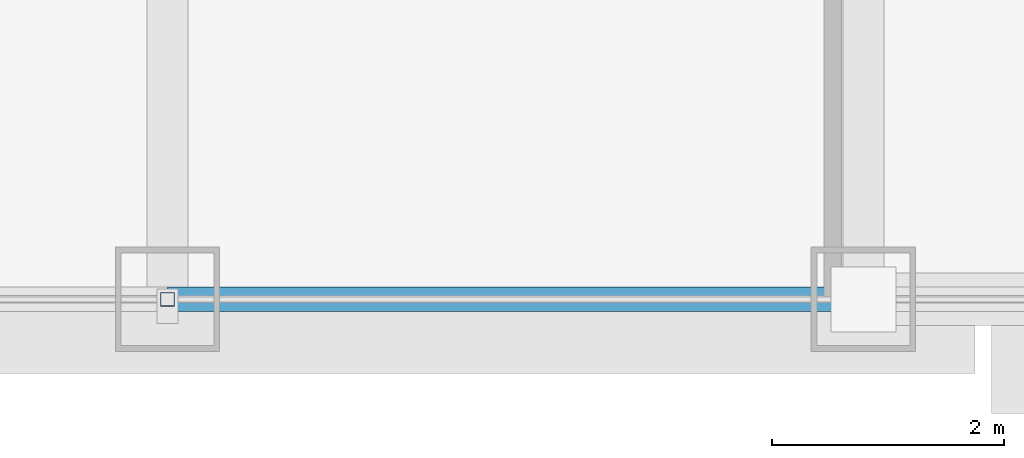
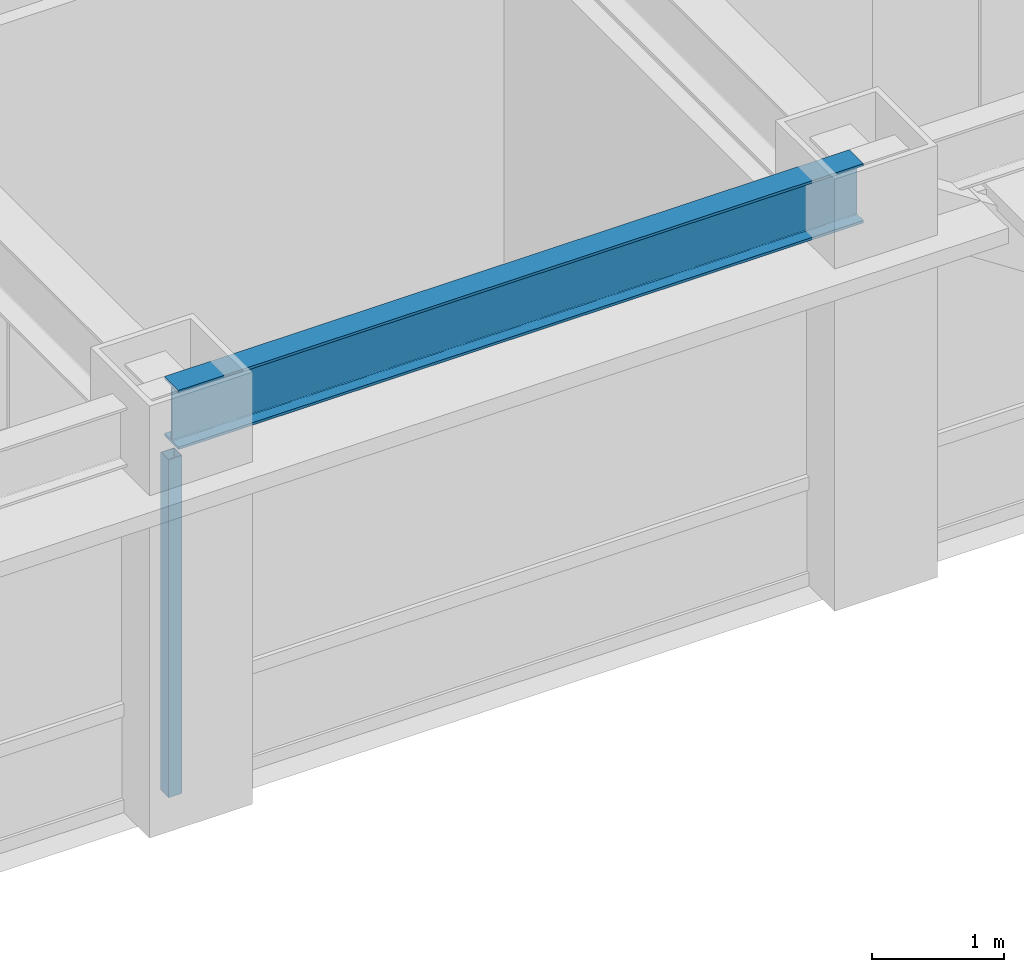
# One storey, part 4 of 27: 1 beam, 1 member, 1 element without a shape of its own.
"""IFC4 building model written with IfcOpenShell, lengths in metres."""

from ifc_helpers import new_model, si_unit, direction, frame, origin, origin_2d, place, context, subcontext, project, spatial, hollow_rectangle, i_section, extrude, source, transform, mapped, material, material_profile, profile_set, type_object, element, aggregate, save


model = new_model("IFC4")

# Units and contexts
model_context = context("Model", 3, precision=1e-05, world=origin(), true_north=direction((0.0, 1.0)))
body_context = subcontext(model_context, "Body", "Model", "MODEL_VIEW")
ifc_project = project(units=[si_unit("LENGTHUNIT", "METRE"), si_unit("AREAUNIT", "SQUARE_METRE"), si_unit("VOLUMEUNIT", "CUBIC_METRE"), si_unit("PLANEANGLEUNIT", "RADIAN"), si_unit("MASSUNIT", "GRAM", prefix="KILO")], contexts=[model_context])

# Site, building, storey
site_placement = place(None, origin())
site = spatial("IfcSite", under=ifc_project, at=site_placement, CompositionType="ELEMENT")
building_placement = place(site_placement, origin())
building = spatial("IfcBuilding", under=site, at=building_placement, Name="Khorayat Bourse Tower", CompositionType="ELEMENT")
storey_placement = place(building_placement, frame((0.0, 0.0, 281.5)))
storey = spatial("IfcBuildingStorey", under=building, at=storey_placement, Name="L66", CompositionType="ELEMENT", Elevation=281.5)

# Beam
ifc_material_1 = material(Name="Steel ASTM A992 Grade 50", Category="steel")
ifc_material_profile_1 = material_profile(ifc_material_1, i_section(OverallWidth=0.214111328125, OverallDepth=0.549072265625, WebThickness=0.0146484375, FlangeThickness=0.023681640625, FilletRadius=0.013916015625, at=origin_2d()), Name="W530X138")
ifc_profile_set_1 = profile_set([ifc_material_profile_1], Name="Steel ASTM A992 Grade 50")
beam_type = type_object("IfcBeamType", Name="BM-SPAN-530", PredefinedType="SPANDREL", material=ifc_profile_set_1)
shared_shape_1 = source(origin(), body_context, "Body", "SweptSolid", [
    extrude(i_section(OverallWidth=0.214111328125, OverallDepth=0.549072265625, WebThickness=0.0146484375, FlangeThickness=0.023681640625, FilletRadius=0.013916015625, at=origin_2d()), origin(), (0.0, 0.0, 1.0), 6.0),
])
beam_placement = place(storey_placement, frame((0.0, -28.0, 3.505615234375), z_axis=(1.0, 0.0, 0.0), x_axis=(0.0, 1.0, 0.0)))
element("IfcBeam", 1, at=beam_placement, inside=storey, type_object=beam_type, Name="L66 BM-SPAN-530 BM-L66-SPN-028", PredefinedType="SPANDREL", context=body_context, shape_type="MappedRepresentation", body=[
    mapped(shared_shape_1, transform((0.0, 0.0, 0.0), scale=1.0)),
])

# Curtain wall, member
ifc_material_2 = material(Name="Aluminium EN AW-6063 T6", Category="aluminium")
curtain_wall_type = type_object("IfcCurtainWallType", Name="CW-SYS-04", PredefinedType="NOTDEFINED", material=ifc_material_2)
curtain_wall_placement = place(storey_placement, origin())
curtain_wall = element("IfcCurtainWall", 2, at=curtain_wall_placement, inside=storey, type_object=curtain_wall_type, Name="L66 Curtain Wall CW-L66-S1", PredefinedType="NOTDEFINED")
ifc_material_profile_2 = material_profile(ifc_material_2, hollow_rectangle(XDim=0.1201171875, YDim=0.1201171875, WallThickness=0.0048828125, at=origin_2d()), Name="ALU 120x120x5")
ifc_profile_set_2 = profile_set([ifc_material_profile_2], Name="Aluminium EN AW-6063 T6")
member_type = type_object("IfcMemberType", Name="CWM-VERT-120", PredefinedType="MULLION", material=ifc_profile_set_2)
shared_shape_2 = source(origin(), body_context, "Body", "SweptSolid", [
    extrude(hollow_rectangle(XDim=0.1201171875, YDim=0.1201171875, WallThickness=0.0048828125, at=origin_2d()), origin(), (0.0, 0.0, 1.0), 3.1298828125),
])
member_placement = place(storey_placement, frame((0.0, -28.0, 0.0), z_axis=(0.0, 0.0, 1.0), x_axis=(0.0, 1.0, 0.0)))
member = element("IfcMember", 3, at=member_placement, type_object=member_type, Name="CW-L66-S1 Vertical Mullion 2", PredefinedType="MULLION", context=body_context, shape_type="MappedRepresentation", body=[
    mapped(shared_shape_2, transform((0.0, 0.0, 0.0), scale=1.0)),
])
aggregate(curtain_wall, [member])

save(model, "model.ifc")
